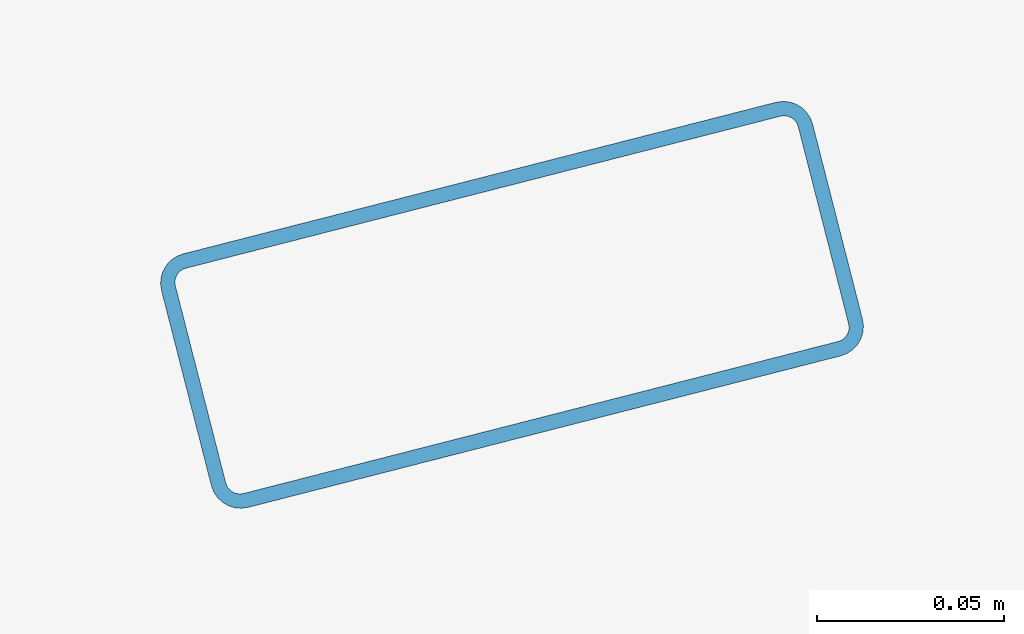
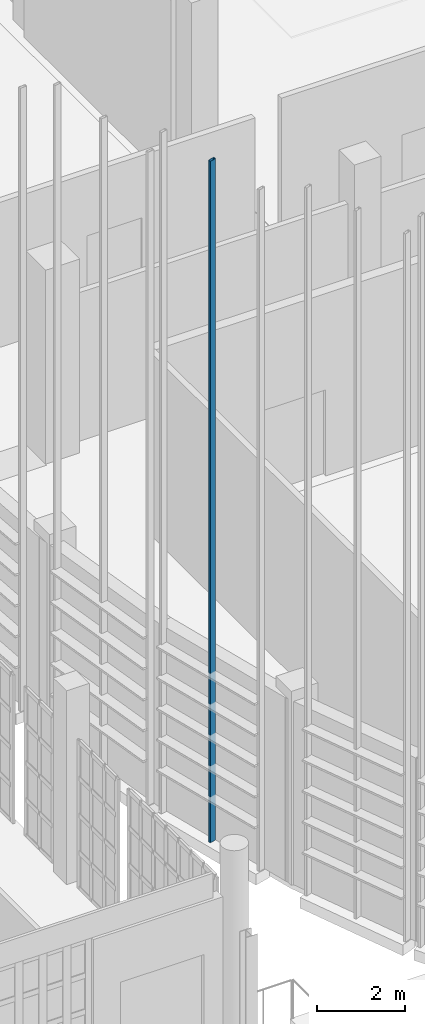
# One storey, part 175 of 372: 1 member.
"""IFC4 building model written with IfcOpenShell, lengths in metres."""

from ifc_helpers import new_model, si_unit, direction, frame, origin, origin_2d, place, context, subcontext, project, spatial, hollow_rectangle, extrude, material, material_profile, profile_set, type_object, element, save


model = new_model("IFC4")

# Units and contexts
model_context = context("Model", 3, precision=1e-05, world=origin(), true_north=direction((0.0, 1.0)))
body_context = subcontext(model_context, "Body", "Model", "MODEL_VIEW")
ifc_project = project(units=[si_unit("LENGTHUNIT", "METRE"), si_unit("AREAUNIT", "SQUARE_METRE"), si_unit("VOLUMEUNIT", "CUBIC_METRE"), si_unit("PLANEANGLEUNIT", "RADIAN"), si_unit("MASSUNIT", "GRAM", prefix="KILO")], contexts=[model_context])

# Site, building, storey
site_placement = place(None, origin())
site = spatial("IfcSite", under=ifc_project, at=site_placement, CompositionType="ELEMENT")
building_placement = place(site_placement, origin())
building = spatial("IfcBuilding", under=site, at=building_placement, Name="Kaelora Sail Theatre", CompositionType="ELEMENT")
storey_placement = place(building_placement, origin())
storey = spatial("IfcBuildingStorey", under=building, at=storey_placement, Name="L00", CompositionType="ELEMENT", Elevation=0.0)

# Member
ifc_material = material(Name="Anodised aluminium 6063-T6", Category="aluminium")
ifc_material_profile = material_profile(ifc_material, hollow_rectangle(XDim=0.070068359375, YDim=0.179931640625, WallThickness=0.00390625, InnerFilletRadius=0.00390625, OuterFilletRadius=0.008056640625, at=origin_2d()), Name="ALU-MULL 70x180x4")
ifc_profile_set = profile_set([ifc_material_profile], Name="Anodised aluminium 6063-T6")
member_type = type_object("IfcMemberType", Name="ARC-MEM-PST-160", PredefinedType="POST", material=ifc_profile_set)
member_placement = place(storey_placement, frame((77.851318359375, 45.6982421875, 0.0), z_axis=(0.0, 0.0, 1.0), x_axis=(-0.247675453076, 0.968843057437, 0.0)))
element("IfcMember", 1, at=member_placement, inside=storey, type_object=member_type, Name="Studio Theatre Sail Drum solar louvre vertical support post C17-2", PredefinedType="POST", context=body_context, shape_type="SweptSolid", body=[
    extrude(hollow_rectangle(XDim=0.070068359375, YDim=0.179931640625, WallThickness=0.00390625, InnerFilletRadius=0.00390625, OuterFilletRadius=0.008056640625, at=origin_2d()), origin(), (0.0, 0.0, 1.0), 18.98193359375),
])

save(model, "model.ifc")
